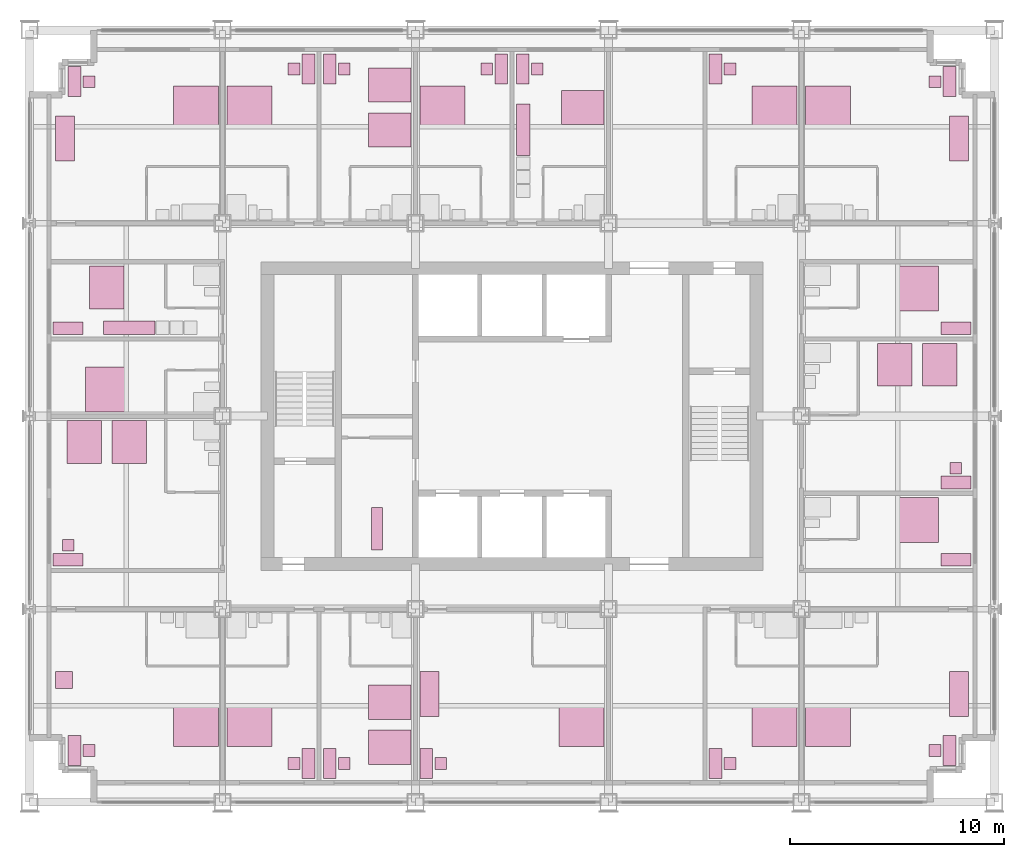
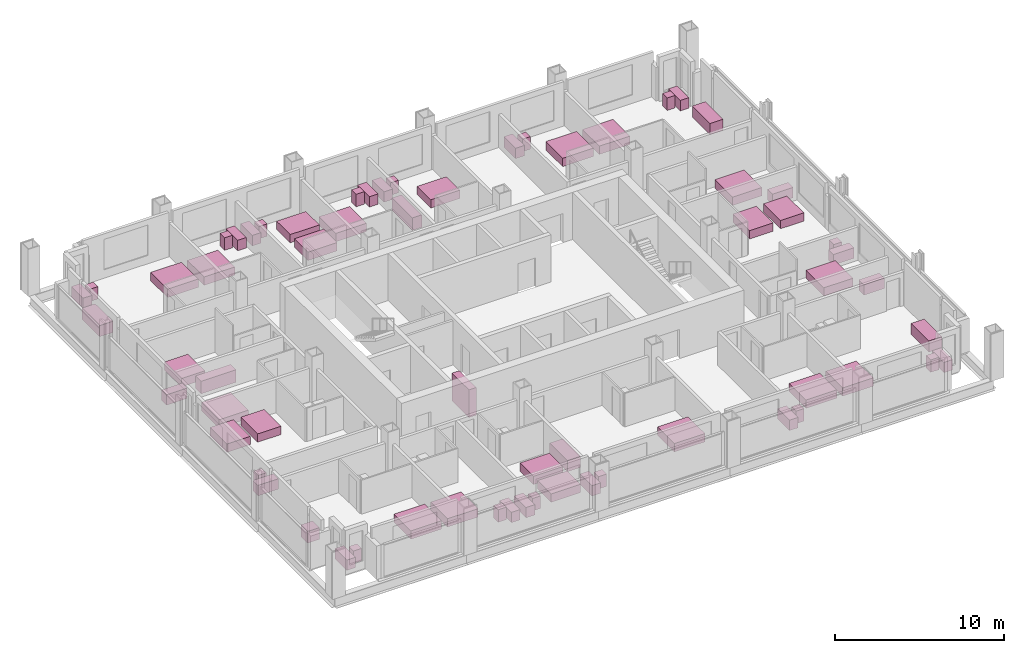
# One storey, part 17 of 17: 64 furniture elements.
"""IFC4 building model written with IfcOpenShell, lengths in metres."""

from ifc_helpers import new_model, si_unit, direction, frame, origin, origin_2d, place, context, subcontext, project, spatial, rectangle, extrude, element, save


model = new_model("IFC4")

# Units and contexts
model_context = context("Model", 3, precision=1e-05, world=origin(), true_north=direction((0.0, 1.0)))
body_context = subcontext(model_context, "Body", "Model", "MODEL_VIEW")
ifc_project = project(units=[si_unit("LENGTHUNIT", "METRE"), si_unit("AREAUNIT", "SQUARE_METRE"), si_unit("VOLUMEUNIT", "CUBIC_METRE"), si_unit("PLANEANGLEUNIT", "RADIAN"), si_unit("MASSUNIT", "GRAM", prefix="KILO")], contexts=[model_context])

# Site, building, storey
site_placement = place(None, origin())
site = spatial("IfcSite", under=ifc_project, at=site_placement, CompositionType="ELEMENT")
building_placement = place(site_placement, origin())
building = spatial("IfcBuilding", under=site, at=building_placement, Name="Loomwork Tower", CompositionType="ELEMENT")
storey_placement = place(building_placement, frame((0.0, 0.0, 145.199951171875)))
storey = spatial("IfcBuildingStorey", under=building, at=storey_placement, Name="L39", CompositionType="ELEMENT", Elevation=145.199951171875)

# Furniture
furniture_1_placement = place(storey_placement, frame((7.75, 3.60009765625, 0.0), z_axis=(0.0, 0.0, 1.0), x_axis=(1.0, 0.0, 0.0)))
element("IfcFurniture", 1, at=furniture_1_placement, inside=storey, Name="King bed L39", PredefinedType="BED", context=body_context, shape_type="SweptSolid", body=[
    extrude(rectangle(XDim=2.10009765625, YDim=2.0, at=origin_2d()), origin(), (0.0, 0.0, 1.0), 0.60009765625),
])
furniture_2_placement = place(storey_placement, frame((2.10009765625, 2.39990234375, 0.0), z_axis=(0.0, 0.0, 1.0), x_axis=(1.0, 0.0, 0.0)))
element("IfcFurniture", 2, at=furniture_2_placement, inside=storey, Name="Writing desk L39", PredefinedType="DESK", context=body_context, shape_type="SweptSolid", body=[
    extrude(rectangle(XDim=0.60009765625, YDim=1.39990234375, at=origin_2d()), origin(), (0.0, 0.0, 1.0), 0.75),
])
furniture_3_placement = place(storey_placement, frame((2.77490234375, 2.39990234375, 0.0), z_axis=(0.0, 0.0, 1.0), x_axis=(1.0, 0.0, 0.0)))
element("IfcFurniture", 3, at=furniture_3_placement, inside=storey, Name="Desk chair L39", PredefinedType="CHAIR", context=body_context, shape_type="SweptSolid", body=[
    extrude(rectangle(XDim=0.550048828125, YDim=0.550048828125, at=origin_2d()), origin(), (0.0, 0.0, 1.0), 0.89990234375),
])
furniture_4_placement = place(storey_placement, frame((1.60009765625, 5.699951171875, 0.0), z_axis=(0.0, 0.0, 1.0), x_axis=(1.0, 0.0, 0.0)))
element("IfcFurniture", 4, at=furniture_4_placement, inside=storey, Name="Lounge armchair L39", PredefinedType="CHAIR", context=body_context, shape_type="SweptSolid", body=[
    extrude(rectangle(XDim=0.800048828125, YDim=0.800048828125, at=origin_2d()), origin(), (0.0, 0.0, 1.0), 0.85009765625),
])
furniture_5_placement = place(storey_placement, frame((10.25, 3.60009765625, 0.0), z_axis=(0.0, 0.0, 1.0), x_axis=(1.0, 0.0, 0.0)))
element("IfcFurniture", 5, at=furniture_5_placement, inside=storey, Name="King bed L39", PredefinedType="BED", context=body_context, shape_type="SweptSolid", body=[
    extrude(rectangle(XDim=2.10009765625, YDim=2.0, at=origin_2d()), origin(), (0.0, 0.0, 1.0), 0.60009765625),
])
furniture_6_placement = place(storey_placement, frame((13.0, 1.800048828125, 0.0), z_axis=(0.0, 0.0, 1.0), x_axis=(1.0, 0.0, 0.0)))
element("IfcFurniture", 6, at=furniture_6_placement, inside=storey, Name="Writing desk L39", PredefinedType="DESK", context=body_context, shape_type="SweptSolid", body=[
    extrude(rectangle(XDim=0.60009765625, YDim=1.39990234375, at=origin_2d()), origin(), (0.0, 0.0, 1.0), 0.75),
])
furniture_7_placement = place(storey_placement, frame((12.324951171875, 1.800048828125, 0.0), z_axis=(0.0, 0.0, 1.0), x_axis=(1.0, 0.0, 0.0)))
element("IfcFurniture", 7, at=furniture_7_placement, inside=storey, Name="Desk chair L39", PredefinedType="CHAIR", context=body_context, shape_type="SweptSolid", body=[
    extrude(rectangle(XDim=0.550048828125, YDim=0.550048828125, at=origin_2d()), origin(), (0.0, 0.0, 1.0), 0.89990234375),
])
for number, where, z_axis, x_axis, name in (
    (8, (16.800048828125, 4.64990234375, 0.0), (0.0, 0.0, 1.0), (1.0, 0.0, 0.0), "Queen bed L39"),
    (9, (16.800048828125, 2.550048828125, 0.0), (0.0, 0.0, 1.0), (1.0, 0.0, 0.0), "Queen bed L39"),
):
    element("IfcFurniture", number, at=place(storey_placement, frame(where, z_axis=z_axis, x_axis=x_axis)), inside=storey, Name=name, PredefinedType="BED", context=body_context, shape_type="SweptSolid", body=[
        extrude(rectangle(XDim=2.0, YDim=1.60009765625, at=origin_2d()), origin(), (0.0, 0.0, 1.0), 0.60009765625),
    ])
furniture_8_placement = place(storey_placement, frame((14.0, 1.800048828125, 0.0), z_axis=(0.0, 0.0, 1.0), x_axis=(1.0, 0.0, 0.0)))
element("IfcFurniture", 10, at=furniture_8_placement, inside=storey, Name="Writing desk L39", PredefinedType="DESK", context=body_context, shape_type="SweptSolid", body=[
    extrude(rectangle(XDim=0.60009765625, YDim=1.39990234375, at=origin_2d()), origin(), (0.0, 0.0, 1.0), 0.75),
])
furniture_9_placement = place(storey_placement, frame((14.675048828125, 1.800048828125, 0.0), z_axis=(0.0, 0.0, 1.0), x_axis=(1.0, 0.0, 0.0)))
element("IfcFurniture", 11, at=furniture_9_placement, inside=storey, Name="Desk chair L39", PredefinedType="CHAIR", context=body_context, shape_type="SweptSolid", body=[
    extrude(rectangle(XDim=0.550048828125, YDim=0.550048828125, at=origin_2d()), origin(), (0.0, 0.0, 1.0), 0.89990234375),
])
furniture_10_placement = place(storey_placement, frame((25.75, 3.60009765625, 0.0), z_axis=(0.0, 0.0, 1.0), x_axis=(1.0, 0.0, 0.0)))
element("IfcFurniture", 12, at=furniture_10_placement, inside=storey, Name="King bed L39", PredefinedType="BED", context=body_context, shape_type="SweptSolid", body=[
    extrude(rectangle(XDim=2.10009765625, YDim=2.0, at=origin_2d()), origin(), (0.0, 0.0, 1.0), 0.60009765625),
])
furniture_11_placement = place(storey_placement, frame((18.5, 1.800048828125, 0.0), z_axis=(0.0, 0.0, 1.0), x_axis=(1.0, 0.0, 0.0)))
element("IfcFurniture", 13, at=furniture_11_placement, inside=storey, Name="Writing desk L39", PredefinedType="DESK", context=body_context, shape_type="SweptSolid", body=[
    extrude(rectangle(XDim=0.60009765625, YDim=1.39990234375, at=origin_2d()), origin(), (0.0, 0.0, 1.0), 0.75),
])
furniture_12_placement = place(storey_placement, frame((19.175048828125, 1.800048828125, 0.0), z_axis=(0.0, 0.0, 1.0), x_axis=(1.0, 0.0, 0.0)))
element("IfcFurniture", 14, at=furniture_12_placement, inside=storey, Name="Desk chair L39", PredefinedType="CHAIR", context=body_context, shape_type="SweptSolid", body=[
    extrude(rectangle(XDim=0.550048828125, YDim=0.550048828125, at=origin_2d()), origin(), (0.0, 0.0, 1.0), 0.89990234375),
])
furniture_13_placement = place(storey_placement, frame((18.64990234375, 5.050048828125, 0.0), z_axis=(0.0, 0.0, 1.0), x_axis=(1.0, 0.0, 0.0)))
element("IfcFurniture", 15, at=furniture_13_placement, inside=storey, Name="Sofa L39", PredefinedType="SOFA", context=body_context, shape_type="SweptSolid", body=[
    extrude(rectangle(XDim=0.89990234375, YDim=2.10009765625, at=origin_2d()), origin(), (0.0, 0.0, 1.0), 0.800048828125),
])
furniture_14_placement = place(storey_placement, frame((34.75, 3.60009765625, 0.0), z_axis=(0.0, 0.0, 1.0), x_axis=(1.0, 0.0, 0.0)))
element("IfcFurniture", 16, at=furniture_14_placement, inside=storey, Name="King bed L39", PredefinedType="BED", context=body_context, shape_type="SweptSolid", body=[
    extrude(rectangle(XDim=2.10009765625, YDim=2.0, at=origin_2d()), origin(), (0.0, 0.0, 1.0), 0.60009765625),
])
furniture_15_placement = place(storey_placement, frame((32.0, 1.800048828125, 0.0), z_axis=(0.0, 0.0, 1.0), x_axis=(1.0, 0.0, 0.0)))
element("IfcFurniture", 17, at=furniture_15_placement, inside=storey, Name="Writing desk L39", PredefinedType="DESK", context=body_context, shape_type="SweptSolid", body=[
    extrude(rectangle(XDim=0.60009765625, YDim=1.39990234375, at=origin_2d()), origin(), (0.0, 0.0, 1.0), 0.75),
])
furniture_16_placement = place(storey_placement, frame((32.675048828125, 1.800048828125, 0.0), z_axis=(0.0, 0.0, 1.0), x_axis=(1.0, 0.0, 0.0)))
element("IfcFurniture", 18, at=furniture_16_placement, inside=storey, Name="Desk chair L39", PredefinedType="CHAIR", context=body_context, shape_type="SweptSolid", body=[
    extrude(rectangle(XDim=0.550048828125, YDim=0.550048828125, at=origin_2d()), origin(), (0.0, 0.0, 1.0), 0.89990234375),
])
furniture_17_placement = place(storey_placement, frame((37.25, 3.60009765625, 0.0), z_axis=(0.0, 0.0, 1.0), x_axis=(1.0, 0.0, 0.0)))
element("IfcFurniture", 19, at=furniture_17_placement, inside=storey, Name="King bed L39", PredefinedType="BED", context=body_context, shape_type="SweptSolid", body=[
    extrude(rectangle(XDim=2.10009765625, YDim=2.0, at=origin_2d()), origin(), (0.0, 0.0, 1.0), 0.60009765625),
])
furniture_18_placement = place(storey_placement, frame((42.89990234375, 2.39990234375, 0.0), z_axis=(0.0, 0.0, 1.0), x_axis=(1.0, 0.0, 0.0)))
element("IfcFurniture", 20, at=furniture_18_placement, inside=storey, Name="Writing desk L39", PredefinedType="DESK", context=body_context, shape_type="SweptSolid", body=[
    extrude(rectangle(XDim=0.60009765625, YDim=1.39990234375, at=origin_2d()), origin(), (0.0, 0.0, 1.0), 0.75),
])
furniture_19_placement = place(storey_placement, frame((42.22509765625, 2.39990234375, 0.0), z_axis=(0.0, 0.0, 1.0), x_axis=(1.0, 0.0, 0.0)))
element("IfcFurniture", 21, at=furniture_19_placement, inside=storey, Name="Desk chair L39", PredefinedType="CHAIR", context=body_context, shape_type="SweptSolid", body=[
    extrude(rectangle(XDim=0.550048828125, YDim=0.550048828125, at=origin_2d()), origin(), (0.0, 0.0, 1.0), 0.89990234375),
])
furniture_20_placement = place(storey_placement, frame((43.35009765625, 5.050048828125, 0.0), z_axis=(0.0, 0.0, 1.0), x_axis=(1.0, 0.0, 0.0)))
element("IfcFurniture", 22, at=furniture_20_placement, inside=storey, Name="Sofa L39", PredefinedType="SOFA", context=body_context, shape_type="SweptSolid", body=[
    extrude(rectangle(XDim=0.89990234375, YDim=2.10009765625, at=origin_2d()), origin(), (0.0, 0.0, 1.0), 0.800048828125),
])
furniture_21_placement = place(storey_placement, frame((7.75, 32.39990234375, 0.0), z_axis=(0.0, 0.0, 1.0), x_axis=(1.0, 0.0, 0.0)))
element("IfcFurniture", 23, at=furniture_21_placement, inside=storey, Name="King bed L39", PredefinedType="BED", context=body_context, shape_type="SweptSolid", body=[
    extrude(rectangle(XDim=2.10009765625, YDim=2.0, at=origin_2d()), origin(), (0.0, 0.0, 1.0), 0.60009765625),
])
furniture_22_placement = place(storey_placement, frame((2.10009765625, 33.60009765625, 0.0), z_axis=(0.0, 0.0, 1.0), x_axis=(1.0, 0.0, 0.0)))
element("IfcFurniture", 24, at=furniture_22_placement, inside=storey, Name="Writing desk L39", PredefinedType="DESK", context=body_context, shape_type="SweptSolid", body=[
    extrude(rectangle(XDim=0.60009765625, YDim=1.39990234375, at=origin_2d()), origin(), (0.0, 0.0, 1.0), 0.75),
])
furniture_23_placement = place(storey_placement, frame((2.77490234375, 33.60009765625, 0.0), z_axis=(0.0, 0.0, 1.0), x_axis=(1.0, 0.0, 0.0)))
element("IfcFurniture", 25, at=furniture_23_placement, inside=storey, Name="Desk chair L39", PredefinedType="CHAIR", context=body_context, shape_type="SweptSolid", body=[
    extrude(rectangle(XDim=0.550048828125, YDim=0.550048828125, at=origin_2d()), origin(), (0.0, 0.0, 1.0), 0.89990234375),
])
furniture_24_placement = place(storey_placement, frame((1.64990234375, 30.949951171875, 0.0), z_axis=(0.0, 0.0, 1.0), x_axis=(1.0, 0.0, 0.0)))
element("IfcFurniture", 26, at=furniture_24_placement, inside=storey, Name="Sofa L39", PredefinedType="SOFA", context=body_context, shape_type="SweptSolid", body=[
    extrude(rectangle(XDim=0.89990234375, YDim=2.10009765625, at=origin_2d()), origin(), (0.0, 0.0, 1.0), 0.800048828125),
])
furniture_25_placement = place(storey_placement, frame((10.25, 32.39990234375, 0.0), z_axis=(0.0, 0.0, 1.0), x_axis=(1.0, 0.0, 0.0)))
element("IfcFurniture", 27, at=furniture_25_placement, inside=storey, Name="King bed L39", PredefinedType="BED", context=body_context, shape_type="SweptSolid", body=[
    extrude(rectangle(XDim=2.10009765625, YDim=2.0, at=origin_2d()), origin(), (0.0, 0.0, 1.0), 0.60009765625),
])
furniture_26_placement = place(storey_placement, frame((13.0, 34.199951171875, 0.0), z_axis=(0.0, 0.0, 1.0), x_axis=(1.0, 0.0, 0.0)))
element("IfcFurniture", 28, at=furniture_26_placement, inside=storey, Name="Writing desk L39", PredefinedType="DESK", context=body_context, shape_type="SweptSolid", body=[
    extrude(rectangle(XDim=0.60009765625, YDim=1.39990234375, at=origin_2d()), origin(), (0.0, 0.0, 1.0), 0.75),
])
furniture_27_placement = place(storey_placement, frame((12.324951171875, 34.199951171875, 0.0), z_axis=(0.0, 0.0, 1.0), x_axis=(1.0, 0.0, 0.0)))
element("IfcFurniture", 29, at=furniture_27_placement, inside=storey, Name="Desk chair L39", PredefinedType="CHAIR", context=body_context, shape_type="SweptSolid", body=[
    extrude(rectangle(XDim=0.550048828125, YDim=0.550048828125, at=origin_2d()), origin(), (0.0, 0.0, 1.0), 0.89990234375),
])
for number, where, z_axis, x_axis, name in (
    (30, (16.800048828125, 31.35009765625, 0.0), (0.0, 0.0, 1.0), (1.0, 0.0, 0.0), "Queen bed L39"),
    (31, (16.800048828125, 33.449951171875, 0.0), (0.0, 0.0, 1.0), (1.0, 0.0, 0.0), "Queen bed L39"),
):
    element("IfcFurniture", number, at=place(storey_placement, frame(where, z_axis=z_axis, x_axis=x_axis)), inside=storey, Name=name, PredefinedType="BED", context=body_context, shape_type="SweptSolid", body=[
        extrude(rectangle(XDim=2.0, YDim=1.60009765625, at=origin_2d()), origin(), (0.0, 0.0, 1.0), 0.60009765625),
    ])
furniture_28_placement = place(storey_placement, frame((14.0, 34.199951171875, 0.0), z_axis=(0.0, 0.0, 1.0), x_axis=(1.0, 0.0, 0.0)))
element("IfcFurniture", 32, at=furniture_28_placement, inside=storey, Name="Writing desk L39", PredefinedType="DESK", context=body_context, shape_type="SweptSolid", body=[
    extrude(rectangle(XDim=0.60009765625, YDim=1.39990234375, at=origin_2d()), origin(), (0.0, 0.0, 1.0), 0.75),
])
furniture_29_placement = place(storey_placement, frame((14.675048828125, 34.199951171875, 0.0), z_axis=(0.0, 0.0, 1.0), x_axis=(1.0, 0.0, 0.0)))
element("IfcFurniture", 33, at=furniture_29_placement, inside=storey, Name="Desk chair L39", PredefinedType="CHAIR", context=body_context, shape_type="SweptSolid", body=[
    extrude(rectangle(XDim=0.550048828125, YDim=0.550048828125, at=origin_2d()), origin(), (0.0, 0.0, 1.0), 0.89990234375),
])
furniture_30_placement = place(storey_placement, frame((19.25, 32.39990234375, 0.0), z_axis=(0.0, 0.0, 1.0), x_axis=(1.0, 0.0, 0.0)))
element("IfcFurniture", 34, at=furniture_30_placement, inside=storey, Name="King bed L39", PredefinedType="BED", context=body_context, shape_type="SweptSolid", body=[
    extrude(rectangle(XDim=2.10009765625, YDim=2.0, at=origin_2d()), origin(), (0.0, 0.0, 1.0), 0.60009765625),
])
furniture_31_placement = place(storey_placement, frame((22.0, 34.199951171875, 0.0), z_axis=(0.0, 0.0, 1.0), x_axis=(1.0, 0.0, 0.0)))
element("IfcFurniture", 35, at=furniture_31_placement, inside=storey, Name="Writing desk L39", PredefinedType="DESK", context=body_context, shape_type="SweptSolid", body=[
    extrude(rectangle(XDim=0.60009765625, YDim=1.39990234375, at=origin_2d()), origin(), (0.0, 0.0, 1.0), 0.75),
])
furniture_32_placement = place(storey_placement, frame((21.324951171875, 34.199951171875, 0.0), z_axis=(0.0, 0.0, 1.0), x_axis=(1.0, 0.0, 0.0)))
element("IfcFurniture", 36, at=furniture_32_placement, inside=storey, Name="Desk chair L39", PredefinedType="CHAIR", context=body_context, shape_type="SweptSolid", body=[
    extrude(rectangle(XDim=0.550048828125, YDim=0.550048828125, at=origin_2d()), origin(), (0.0, 0.0, 1.0), 0.89990234375),
])
furniture_33_placement = place(storey_placement, frame((25.800048828125, 32.39990234375, 0.0), z_axis=(0.0, 0.0, 1.0), x_axis=(1.0, 0.0, 0.0)))
element("IfcFurniture", 37, at=furniture_33_placement, inside=storey, Name="Queen bed L39", PredefinedType="BED", context=body_context, shape_type="SweptSolid", body=[
    extrude(rectangle(XDim=2.0, YDim=1.60009765625, at=origin_2d()), origin(), (0.0, 0.0, 1.0), 0.60009765625),
])
furniture_34_placement = place(storey_placement, frame((23.0, 34.199951171875, 0.0), z_axis=(0.0, 0.0, 1.0), x_axis=(1.0, 0.0, 0.0)))
element("IfcFurniture", 38, at=furniture_34_placement, inside=storey, Name="Writing desk L39", PredefinedType="DESK", context=body_context, shape_type="SweptSolid", body=[
    extrude(rectangle(XDim=0.60009765625, YDim=1.39990234375, at=origin_2d()), origin(), (0.0, 0.0, 1.0), 0.75),
])
furniture_35_placement = place(storey_placement, frame((23.675048828125, 34.199951171875, 0.0), z_axis=(0.0, 0.0, 1.0), x_axis=(1.0, 0.0, 0.0)))
element("IfcFurniture", 39, at=furniture_35_placement, inside=storey, Name="Desk chair L39", PredefinedType="CHAIR", context=body_context, shape_type="SweptSolid", body=[
    extrude(rectangle(XDim=0.550048828125, YDim=0.550048828125, at=origin_2d()), origin(), (0.0, 0.0, 1.0), 0.89990234375),
])
furniture_36_placement = place(storey_placement, frame((23.02490234375, 31.35009765625, 0.0), z_axis=(0.0, 0.0, 1.0), x_axis=(1.0, 0.0, 0.0)))
element("IfcFurniture", 40, at=furniture_36_placement, inside=storey, Name="Kitchenette counter L39", ObjectType="KITCHENETTE", PredefinedType="USERDEFINED", context=body_context, shape_type="SweptSolid", body=[
    extrude(rectangle(XDim=0.64990234375, YDim=2.39990234375, at=origin_2d()), origin(), (0.0, 0.0, 1.0), 0.89990234375),
])
furniture_37_placement = place(storey_placement, frame((34.75, 32.39990234375, 0.0), z_axis=(0.0, 0.0, 1.0), x_axis=(1.0, 0.0, 0.0)))
element("IfcFurniture", 41, at=furniture_37_placement, inside=storey, Name="King bed L39", PredefinedType="BED", context=body_context, shape_type="SweptSolid", body=[
    extrude(rectangle(XDim=2.10009765625, YDim=2.0, at=origin_2d()), origin(), (0.0, 0.0, 1.0), 0.60009765625),
])
furniture_38_placement = place(storey_placement, frame((32.0, 34.199951171875, 0.0), z_axis=(0.0, 0.0, 1.0), x_axis=(1.0, 0.0, 0.0)))
element("IfcFurniture", 42, at=furniture_38_placement, inside=storey, Name="Writing desk L39", PredefinedType="DESK", context=body_context, shape_type="SweptSolid", body=[
    extrude(rectangle(XDim=0.60009765625, YDim=1.39990234375, at=origin_2d()), origin(), (0.0, 0.0, 1.0), 0.75),
])
furniture_39_placement = place(storey_placement, frame((32.675048828125, 34.199951171875, 0.0), z_axis=(0.0, 0.0, 1.0), x_axis=(1.0, 0.0, 0.0)))
element("IfcFurniture", 43, at=furniture_39_placement, inside=storey, Name="Desk chair L39", PredefinedType="CHAIR", context=body_context, shape_type="SweptSolid", body=[
    extrude(rectangle(XDim=0.550048828125, YDim=0.550048828125, at=origin_2d()), origin(), (0.0, 0.0, 1.0), 0.89990234375),
])
furniture_40_placement = place(storey_placement, frame((37.25, 32.39990234375, 0.0), z_axis=(0.0, 0.0, 1.0), x_axis=(1.0, 0.0, 0.0)))
element("IfcFurniture", 44, at=furniture_40_placement, inside=storey, Name="King bed L39", PredefinedType="BED", context=body_context, shape_type="SweptSolid", body=[
    extrude(rectangle(XDim=2.10009765625, YDim=2.0, at=origin_2d()), origin(), (0.0, 0.0, 1.0), 0.60009765625),
])
furniture_41_placement = place(storey_placement, frame((42.89990234375, 33.60009765625, 0.0), z_axis=(0.0, 0.0, 1.0), x_axis=(1.0, 0.0, 0.0)))
element("IfcFurniture", 45, at=furniture_41_placement, inside=storey, Name="Writing desk L39", PredefinedType="DESK", context=body_context, shape_type="SweptSolid", body=[
    extrude(rectangle(XDim=0.60009765625, YDim=1.39990234375, at=origin_2d()), origin(), (0.0, 0.0, 1.0), 0.75),
])
furniture_42_placement = place(storey_placement, frame((42.22509765625, 33.60009765625, 0.0), z_axis=(0.0, 0.0, 1.0), x_axis=(1.0, 0.0, 0.0)))
element("IfcFurniture", 46, at=furniture_42_placement, inside=storey, Name="Desk chair L39", PredefinedType="CHAIR", context=body_context, shape_type="SweptSolid", body=[
    extrude(rectangle(XDim=0.550048828125, YDim=0.550048828125, at=origin_2d()), origin(), (0.0, 0.0, 1.0), 0.89990234375),
])
furniture_43_placement = place(storey_placement, frame((43.35009765625, 30.949951171875, 0.0), z_axis=(0.0, 0.0, 1.0), x_axis=(1.0, 0.0, 0.0)))
element("IfcFurniture", 47, at=furniture_43_placement, inside=storey, Name="Sofa L39", PredefinedType="SOFA", context=body_context, shape_type="SweptSolid", body=[
    extrude(rectangle(XDim=0.89990234375, YDim=2.10009765625, at=origin_2d()), origin(), (0.0, 0.0, 1.0), 0.800048828125),
])
for number, where, z_axis, x_axis, name in (
    (48, (4.64990234375, 16.800048828125, 0.0), (0.0, 0.0, 1.0), (1.0, 0.0, 0.0), "Queen bed L39"),
    (49, (2.550048828125, 16.800048828125, 0.0), (0.0, 0.0, 1.0), (1.0, 0.0, 0.0), "Queen bed L39"),
):
    element("IfcFurniture", number, at=place(storey_placement, frame(where, z_axis=z_axis, x_axis=x_axis)), inside=storey, Name=name, PredefinedType="BED", context=body_context, shape_type="SweptSolid", body=[
        extrude(rectangle(XDim=1.60009765625, YDim=2.0, at=origin_2d()), origin(), (0.0, 0.0, 1.0), 0.60009765625),
    ])
furniture_44_placement = place(storey_placement, frame((1.800048828125, 11.300048828125, 0.0), z_axis=(0.0, 0.0, 1.0), x_axis=(1.0, 0.0, 0.0)))
element("IfcFurniture", 50, at=furniture_44_placement, inside=storey, Name="Writing desk L39", PredefinedType="DESK", context=body_context, shape_type="SweptSolid", body=[
    extrude(rectangle(XDim=1.39990234375, YDim=0.60009765625, at=origin_2d()), origin(), (0.0, 0.0, 1.0), 0.75),
])
furniture_45_placement = place(storey_placement, frame((1.800048828125, 11.97509765625, 0.0), z_axis=(0.0, 0.0, 1.0), x_axis=(1.0, 0.0, 0.0)))
element("IfcFurniture", 51, at=furniture_45_placement, inside=storey, Name="Desk chair L39", PredefinedType="CHAIR", context=body_context, shape_type="SweptSolid", body=[
    extrude(rectangle(XDim=0.550048828125, YDim=0.550048828125, at=origin_2d()), origin(), (0.0, 0.0, 1.0), 0.89990234375),
])
furniture_46_placement = place(storey_placement, frame((3.60009765625, 19.25, 0.0), z_axis=(0.0, 0.0, 1.0), x_axis=(1.0, 0.0, 0.0)))
element("IfcFurniture", 52, at=furniture_46_placement, inside=storey, Name="King bed L39", PredefinedType="BED", context=body_context, shape_type="SweptSolid", body=[
    extrude(rectangle(XDim=2.0, YDim=2.10009765625, at=origin_2d()), origin(), (0.0, 0.0, 1.0), 0.60009765625),
])
furniture_47_placement = place(storey_placement, frame((3.60009765625, 24.0, 0.0), z_axis=(0.0, 0.0, 1.0), x_axis=(1.0, 0.0, 0.0)))
element("IfcFurniture", 53, at=furniture_47_placement, inside=storey, Name="Queen bed L39", PredefinedType="BED", context=body_context, shape_type="SweptSolid", body=[
    extrude(rectangle(XDim=1.60009765625, YDim=2.0, at=origin_2d()), origin(), (0.0, 0.0, 1.0), 0.60009765625),
])
furniture_48_placement = place(storey_placement, frame((1.800048828125, 22.10009765625, 0.0), z_axis=(0.0, 0.0, 1.0), x_axis=(1.0, 0.0, 0.0)))
element("IfcFurniture", 54, at=furniture_48_placement, inside=storey, Name="Writing desk L39", PredefinedType="DESK", context=body_context, shape_type="SweptSolid", body=[
    extrude(rectangle(XDim=1.39990234375, YDim=0.60009765625, at=origin_2d()), origin(), (0.0, 0.0, 1.0), 0.75),
])
furniture_49_placement = place(storey_placement, frame((4.64990234375, 22.125, 0.0), z_axis=(0.0, 0.0, 1.0), x_axis=(1.0, 0.0, 0.0)))
element("IfcFurniture", 55, at=furniture_49_placement, inside=storey, Name="Kitchenette counter L39", ObjectType="KITCHENETTE", PredefinedType="USERDEFINED", context=body_context, shape_type="SweptSolid", body=[
    extrude(rectangle(XDim=2.39990234375, YDim=0.64990234375, at=origin_2d()), origin(), (0.0, 0.0, 1.0), 0.89990234375),
])
furniture_50_placement = place(storey_placement, frame((41.39990234375, 13.14990234375, 0.0), z_axis=(0.0, 0.0, 1.0), x_axis=(1.0, 0.0, 0.0)))
element("IfcFurniture", 56, at=furniture_50_placement, inside=storey, Name="King bed L39", PredefinedType="BED", context=body_context, shape_type="SweptSolid", body=[
    extrude(rectangle(XDim=2.0, YDim=2.10009765625, at=origin_2d()), origin(), (0.0, 0.0, 1.0), 0.60009765625),
])
furniture_51_placement = place(storey_placement, frame((43.199951171875, 11.300048828125, 0.0), z_axis=(0.0, 0.0, 1.0), x_axis=(1.0, 0.0, 0.0)))
element("IfcFurniture", 57, at=furniture_51_placement, inside=storey, Name="Writing desk L39", PredefinedType="DESK", context=body_context, shape_type="SweptSolid", body=[
    extrude(rectangle(XDim=1.39990234375, YDim=0.60009765625, at=origin_2d()), origin(), (0.0, 0.0, 1.0), 0.75),
])
for number, where, z_axis, x_axis, name in (
    (58, (40.35009765625, 20.39990234375, 0.0), (0.0, 0.0, 1.0), (1.0, 0.0, 0.0), "Queen bed L39"),
    (59, (42.449951171875, 20.39990234375, 0.0), (0.0, 0.0, 1.0), (1.0, 0.0, 0.0), "Queen bed L39"),
):
    element("IfcFurniture", number, at=place(storey_placement, frame(where, z_axis=z_axis, x_axis=x_axis)), inside=storey, Name=name, PredefinedType="BED", context=body_context, shape_type="SweptSolid", body=[
        extrude(rectangle(XDim=1.60009765625, YDim=2.0, at=origin_2d()), origin(), (0.0, 0.0, 1.0), 0.60009765625),
    ])
furniture_52_placement = place(storey_placement, frame((43.199951171875, 14.89990234375, 0.0), z_axis=(0.0, 0.0, 1.0), x_axis=(1.0, 0.0, 0.0)))
element("IfcFurniture", 60, at=furniture_52_placement, inside=storey, Name="Writing desk L39", PredefinedType="DESK", context=body_context, shape_type="SweptSolid", body=[
    extrude(rectangle(XDim=1.39990234375, YDim=0.60009765625, at=origin_2d()), origin(), (0.0, 0.0, 1.0), 0.75),
])
furniture_53_placement = place(storey_placement, frame((43.199951171875, 15.574951171875, 0.0), z_axis=(0.0, 0.0, 1.0), x_axis=(1.0, 0.0, 0.0)))
element("IfcFurniture", 61, at=furniture_53_placement, inside=storey, Name="Desk chair L39", PredefinedType="CHAIR", context=body_context, shape_type="SweptSolid", body=[
    extrude(rectangle(XDim=0.550048828125, YDim=0.550048828125, at=origin_2d()), origin(), (0.0, 0.0, 1.0), 0.89990234375),
])
furniture_54_placement = place(storey_placement, frame((41.39990234375, 23.949951171875, 0.0), z_axis=(0.0, 0.0, 1.0), x_axis=(1.0, 0.0, 0.0)))
element("IfcFurniture", 62, at=furniture_54_placement, inside=storey, Name="King bed L39", PredefinedType="BED", context=body_context, shape_type="SweptSolid", body=[
    extrude(rectangle(XDim=2.0, YDim=2.10009765625, at=origin_2d()), origin(), (0.0, 0.0, 1.0), 0.60009765625),
])
furniture_55_placement = place(storey_placement, frame((43.199951171875, 22.10009765625, 0.0), z_axis=(0.0, 0.0, 1.0), x_axis=(1.0, 0.0, 0.0)))
element("IfcFurniture", 63, at=furniture_55_placement, inside=storey, Name="Writing desk L39", PredefinedType="DESK", context=body_context, shape_type="SweptSolid", body=[
    extrude(rectangle(XDim=1.39990234375, YDim=0.60009765625, at=origin_2d()), origin(), (0.0, 0.0, 1.0), 0.75),
])
furniture_56_placement = place(storey_placement, frame((16.199951171875, 12.75, 0.0), z_axis=(0.0, 0.0, 1.0), x_axis=(1.0, 0.0, 0.0)))
element("IfcFurniture", 64, at=furniture_56_placement, inside=storey, Name="Linen shelving L39", PredefinedType="SHELF", context=body_context, shape_type="SweptSolid", body=[
    extrude(rectangle(XDim=0.5, YDim=2.0, at=origin_2d()), origin(), (0.0, 0.0, 1.0), 2.0),
])

save(model, "model.ifc")
